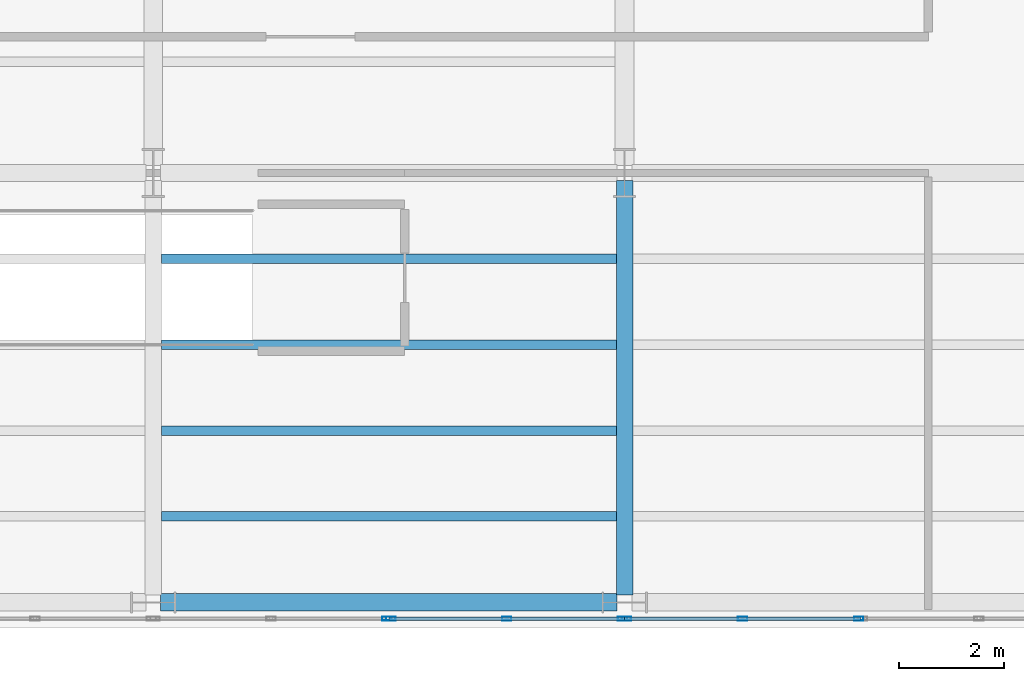
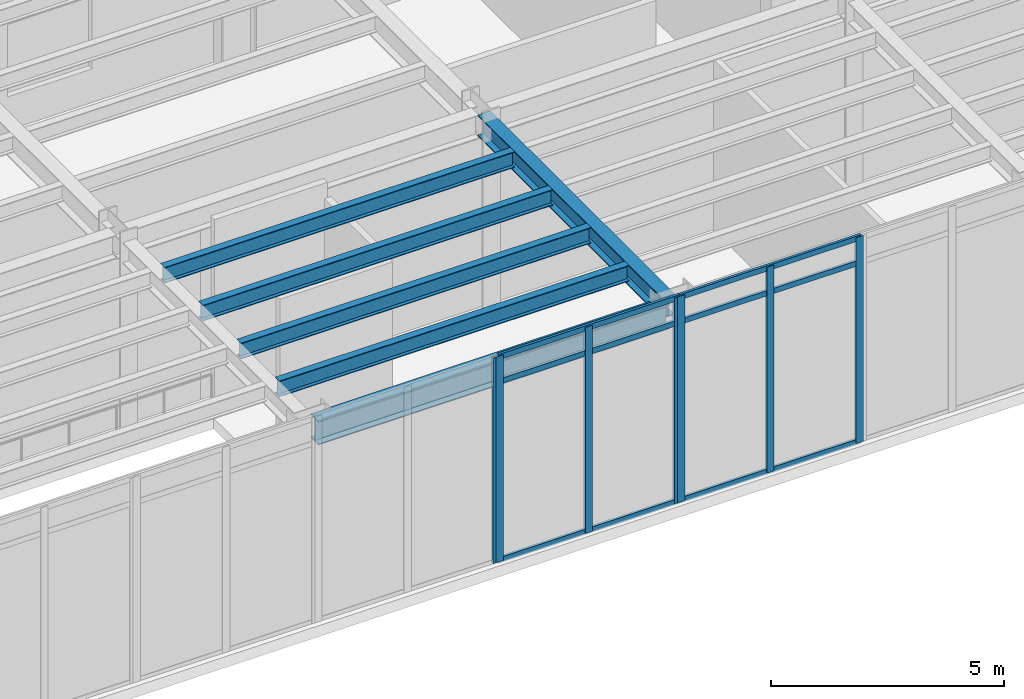
# One storey, part 31 of 98: 13 members, 6 beams, 3 elements without a shape of their own.
"""IFC4 building model written with IfcOpenShell, lengths in metres."""

from ifc_helpers import new_model, si_unit, direction, frame, origin, origin_2d, place, context, subcontext, project, spatial, hollow_rectangle, i_section, extrude, material, layer, layer_set, material_profile, profile_set, type_object, element, aggregate, save


model = new_model("IFC4")

# Units and contexts
model_context = context("Model", 3, precision=1e-05, world=origin(), true_north=direction((0.0, 1.0)))
body_context = subcontext(model_context, "Body", "Model", "MODEL_VIEW")
ifc_project = project(units=[si_unit("LENGTHUNIT", "METRE"), si_unit("AREAUNIT", "SQUARE_METRE"), si_unit("VOLUMEUNIT", "CUBIC_METRE"), si_unit("PLANEANGLEUNIT", "RADIAN"), si_unit("MASSUNIT", "GRAM", prefix="KILO")], contexts=[model_context])

# Site, building, storey
site_placement = place(None, origin())
site = spatial("IfcSite", under=ifc_project, at=site_placement, CompositionType="ELEMENT")
building_placement = place(site_placement, origin())
building = spatial("IfcBuilding", under=site, at=building_placement, Name="Sollismere Congress Hotel", CompositionType="ELEMENT")
storey_placement = place(building_placement, frame((0.0, 0.0, 5.39990234375)))
storey = spatial("IfcBuildingStorey", under=building, at=storey_placement, Name="L01", CompositionType="ELEMENT", Elevation=5.39990234375)

# Beams
ifc_material_1 = material(Name="Steel ASTM A992 Grade 50", Category="steel")
ifc_material_profile_1 = material_profile(ifc_material_1, i_section(OverallWidth=0.31494140625, OverallDepth=0.551025390625, WebThickness=0.01513671875, FlangeThickness=0.0244140625, at=origin_2d()), Name="W21X122")
ifc_profile_set_1 = profile_set([ifc_material_profile_1], Name="Steel ASTM A992 Grade 50")
beam_type_1 = type_object("IfcBeamType", Name="BM-G21H", PredefinedType="BEAM", material=ifc_profile_set_1)
beam_1_placement = place(storey_placement, frame((85.0, 0.139892578125, 4.844482421875), z_axis=(0.0, 1.0, 0.0), x_axis=(-1.0, 0.0, 0.0)))
element("IfcBeam", 1, at=beam_1_placement, inside=storey, type_object=beam_type_1, Name="Beam BM-L01-1666", PredefinedType="BEAM", context=body_context, shape_type="SweptSolid", body=[
    extrude(i_section(OverallWidth=0.31494140625, OverallDepth=0.551025390625, WebThickness=0.01513671875, FlangeThickness=0.0244140625, at=origin_2d()), origin(), (0.0, 0.0, 1.0), 7.920166015625),
])
ifc_material_profile_2 = material_profile(ifc_material_1, i_section(OverallWidth=0.180908203125, OverallDepth=0.4169921875, WebThickness=0.010986328125, FlangeThickness=0.018310546875, at=origin_2d()), Name="W16X57")
ifc_profile_set_2 = profile_set([ifc_material_profile_2], Name="Steel ASTM A992 Grade 50")
beam_type_2 = type_object("IfcBeamType", Name="BM-J16", PredefinedType="JOIST", material=ifc_profile_set_2)
for number, where, z_axis, x_axis, name in (
    (2, (76.157470703125, 1.639892578125, 4.91162109375), (1.0, 0.0, 0.0), (0.0, 1.0, 0.0), "Beam BM-L01-1805"),
    (3, (76.157470703125, 3.280029296875, 4.91162109375), (1.0, 0.0, 0.0), (0.0, 1.0, 0.0), "Beam BM-L01-1806"),
    (4, (76.157470703125, 4.919921875, 4.91162109375), (1.0, 0.0, 0.0), (0.0, 1.0, 0.0), "Beam BM-L01-1807"),
    (5, (76.157470703125, 6.56005859375, 4.91162109375), (1.0, 0.0, 0.0), (0.0, 1.0, 0.0), "Beam BM-L01-1808"),
):
    element("IfcBeam", number, at=place(storey_placement, frame(where, z_axis=z_axis, x_axis=x_axis)), inside=storey, type_object=beam_type_2, Name=name, PredefinedType="JOIST", context=body_context, shape_type="SweptSolid", body=[
        extrude(i_section(OverallWidth=0.180908203125, OverallDepth=0.4169921875, WebThickness=0.010986328125, FlangeThickness=0.018310546875, at=origin_2d()), origin(), (0.0, 0.0, 1.0), 8.68505859375),
    ])
ifc_material_profile_3 = material_profile(ifc_material_1, i_section(OverallWidth=0.330078125, OverallDepth=0.635009765625, WebThickness=0.017822265625, FlangeThickness=0.031005859375, at=origin_2d()), Name="W24X162")
ifc_profile_set_3 = profile_set([ifc_material_profile_3], Name="Steel ASTM A992 Grade 50")
beam_type_3 = type_object("IfcBeamType", Name="BM-SP24E", PredefinedType="SPANDREL", material=ifc_profile_set_3)
beam_2_placement = place(storey_placement, frame((76.139892578125, 0.0, 4.802490234375), z_axis=(1.0, 0.0, 0.0), x_axis=(0.0, 1.0, 0.0)))
element("IfcBeam", 6, at=beam_2_placement, inside=storey, type_object=beam_type_3, Name="Beam BM-L01-1527", PredefinedType="SPANDREL", context=body_context, shape_type="SweptSolid", body=[
    extrude(i_section(OverallWidth=0.330078125, OverallDepth=0.635009765625, WebThickness=0.017822265625, FlangeThickness=0.031005859375, at=origin_2d()), origin(), (0.0, 0.0, 1.0), 8.72021484375),
])

# Curtain wall, member
ifc_material_2 = material(Name="Anodized Bronze Curtain Wall & Low-E Triple Glazing", Category="glass")
ifc_layer = layer(ifc_material_2, 0.199951171875, Name="Anodized Bronze Curtain Wall & Low-E Triple Glazing")
ifc_layer_set = layer_set([ifc_layer], Name="Anodized Bronze Curtain Wall & Low-E Triple Glazing")
curtain_wall_type = type_object("IfcCurtainWallType", Name="CW-GLZ36", PredefinedType="USERDEFINED", material=ifc_layer_set)
curtain_wall_1_placement = place(storey_placement, origin())
curtain_wall_1 = element("IfcCurtainWall", 7, at=curtain_wall_1_placement, inside=storey, type_object=curtain_wall_type, Name="Unitised curtain wall CW-L01-155", ObjectType="UNITISED CURTAIN WALL", PredefinedType="USERDEFINED")
ifc_material_3 = material(Name="Anodized Aluminum 6063-T6", Category="aluminium")
ifc_material_profile_4 = material_profile(ifc_material_3, hollow_rectangle(XDim=0.074951171875, YDim=0.179931640625, WallThickness=0.0048828125, at=origin_2d()), Name="ALU180X75X5")
ifc_profile_set_4 = profile_set([ifc_material_profile_4], Name="Anodized Aluminum 6063-T6")
member_type_1 = type_object("IfcMemberType", Name="ML-CW180", PredefinedType="MULLION", material=ifc_profile_set_4)
member_1_placement = place(storey_placement, frame((80.4619140625, -0.31005859375, 0.0), z_axis=(0.0, 0.0, 1.0), x_axis=(0.0, 1.0, 0.0)))
member_1 = element("IfcMember", 8, at=member_1_placement, type_object=member_type_1, Name="CWL-CW-L01-155-ML03", PredefinedType="MULLION", context=body_context, shape_type="SweptSolid", body=[
    extrude(hollow_rectangle(XDim=0.074951171875, YDim=0.179931640625, WallThickness=0.0048828125, at=origin_2d()), origin(), (0.0, 0.0, 1.0), 5.400146484375),
])
aggregate(curtain_wall_1, [member_1])

# Curtain wall, members
curtain_wall_2_placement = place(storey_placement, origin())
curtain_wall_2 = element("IfcCurtainWall", 9, at=curtain_wall_2_placement, inside=storey, type_object=curtain_wall_type, Name="Unitised curtain wall CW-L01-156", ObjectType="UNITISED CURTAIN WALL", PredefinedType="USERDEFINED")
member_2_placement = place(storey_placement, frame((80.5380859375, -0.31005859375, 0.0), z_axis=(0.0, 0.0, 1.0), x_axis=(0.0, 1.0, 0.0)))
member_2 = element("IfcMember", 10, at=member_2_placement, type_object=member_type_1, Name="CWL-CW-L01-156-ML01", PredefinedType="MULLION", context=body_context, shape_type="SweptSolid", body=[
    extrude(hollow_rectangle(XDim=0.074951171875, YDim=0.179931640625, WallThickness=0.0048828125, at=origin_2d()), origin(), (0.0, 0.0, 1.0), 5.400146484375),
])
member_3_placement = place(storey_placement, frame((82.75, -0.31005859375, 0.0), z_axis=(0.0, 0.0, 1.0), x_axis=(0.0, 1.0, 0.0)))
member_3 = element("IfcMember", 11, at=member_3_placement, type_object=member_type_1, Name="CWL-CW-L01-156-ML02", PredefinedType="MULLION", context=body_context, shape_type="SweptSolid", body=[
    extrude(hollow_rectangle(XDim=0.074951171875, YDim=0.179931640625, WallThickness=0.0048828125, at=origin_2d()), origin(), (0.0, 0.0, 1.0), 5.400146484375),
])
member_4_placement = place(storey_placement, frame((84.9619140625, -0.31005859375, 0.0), z_axis=(0.0, 0.0, 1.0), x_axis=(0.0, 1.0, 0.0)))
member_4 = element("IfcMember", 12, at=member_4_placement, type_object=member_type_1, Name="CWL-CW-L01-156-ML03", PredefinedType="MULLION", context=body_context, shape_type="SweptSolid", body=[
    extrude(hollow_rectangle(XDim=0.074951171875, YDim=0.179931640625, WallThickness=0.0048828125, at=origin_2d()), origin(), (0.0, 0.0, 1.0), 5.400146484375),
])

curtain_wall_3_placement = place(storey_placement, origin())
curtain_wall_3 = element("IfcCurtainWall", 13, at=curtain_wall_3_placement, inside=storey, type_object=curtain_wall_type, Name="Unitised curtain wall CW-L01-157", ObjectType="UNITISED CURTAIN WALL", PredefinedType="USERDEFINED")
member_5_placement = place(storey_placement, frame((85.0380859375, -0.31005859375, 0.0), z_axis=(0.0, 0.0, 1.0), x_axis=(0.0, 1.0, 0.0)))
member_5 = element("IfcMember", 14, at=member_5_placement, type_object=member_type_1, Name="CWL-CW-L01-157-ML01", PredefinedType="MULLION", context=body_context, shape_type="SweptSolid", body=[
    extrude(hollow_rectangle(XDim=0.074951171875, YDim=0.179931640625, WallThickness=0.0048828125, at=origin_2d()), origin(), (0.0, 0.0, 1.0), 5.400146484375),
])
member_6_placement = place(storey_placement, frame((87.2548828125, -0.31005859375, 0.0), z_axis=(0.0, 0.0, 1.0), x_axis=(0.0, 1.0, 0.0)))
member_6 = element("IfcMember", 15, at=member_6_placement, type_object=member_type_1, Name="CWL-CW-L01-157-ML02", PredefinedType="MULLION", context=body_context, shape_type="SweptSolid", body=[
    extrude(hollow_rectangle(XDim=0.074951171875, YDim=0.179931640625, WallThickness=0.0048828125, at=origin_2d()), origin(), (0.0, 0.0, 1.0), 5.400146484375),
])
member_7_placement = place(storey_placement, frame((89.471923828125, -0.31005859375, 0.0), z_axis=(0.0, 0.0, 1.0), x_axis=(0.0, 1.0, 0.0)))
member_7 = element("IfcMember", 16, at=member_7_placement, type_object=member_type_1, Name="CWL-CW-L01-157-ML03", PredefinedType="MULLION", context=body_context, shape_type="SweptSolid", body=[
    extrude(hollow_rectangle(XDim=0.074951171875, YDim=0.179931640625, WallThickness=0.0048828125, at=origin_2d()), origin(), (0.0, 0.0, 1.0), 5.400146484375),
])

# Member
ifc_material_profile_5 = material_profile(ifc_material_3, hollow_rectangle(XDim=0.06494140625, YDim=0.139892578125, WallThickness=0.00390625, at=origin_2d()), Name="ALU140X65X4")
ifc_profile_set_5 = profile_set([ifc_material_profile_5], Name="Anodized Aluminum 6063-T6")
member_type_2 = type_object("IfcMemberType", Name="TR-CW150", PredefinedType="MEMBER", material=ifc_profile_set_5)
member_8_placement = place(storey_placement, frame((80.5, -0.31005859375, 0.03271484375), z_axis=(1.0, 0.0, 0.0), x_axis=(0.0, 1.0, 0.0)))
member_8 = element("IfcMember", 17, at=member_8_placement, type_object=member_type_2, Name="CWL-CW-L01-156-TR1", PredefinedType="MEMBER", context=body_context, shape_type="SweptSolid", body=[
    extrude(hollow_rectangle(XDim=0.06494140625, YDim=0.139892578125, WallThickness=0.00390625, at=origin_2d()), origin(), (0.0, 0.0, 1.0), 4.5),
])

member_9_placement = place(storey_placement, frame((80.5, -0.31005859375, 4.72021484375), z_axis=(1.0, 0.0, 0.0), x_axis=(0.0, 1.0, 0.0)))
member_9 = element("IfcMember", 18, at=member_9_placement, type_object=member_type_2, Name="CWL-CW-L01-156-TR2", PredefinedType="MEMBER", context=body_context, shape_type="SweptSolid", body=[
    extrude(hollow_rectangle(XDim=0.06494140625, YDim=0.139892578125, WallThickness=0.00390625, at=origin_2d()), origin(), (0.0, 0.0, 1.0), 4.5),
])

member_10_placement = place(storey_placement, frame((80.5, -0.31005859375, 5.36767578125), z_axis=(1.0, 0.0, 0.0), x_axis=(0.0, 1.0, 0.0)))
member_10 = element("IfcMember", 19, at=member_10_placement, type_object=member_type_2, Name="CWL-CW-L01-156-TR3", PredefinedType="MEMBER", context=body_context, shape_type="SweptSolid", body=[
    extrude(hollow_rectangle(XDim=0.06494140625, YDim=0.139892578125, WallThickness=0.00390625, at=origin_2d()), origin(), (0.0, 0.0, 1.0), 4.5),
])

aggregate(curtain_wall_2, [member_2, member_3, member_4, member_8, member_9, member_10])

member_11_placement = place(storey_placement, frame((85.0, -0.31005859375, 0.03271484375), z_axis=(1.0, 0.0, 0.0), x_axis=(0.0, 1.0, 0.0)))
member_11 = element("IfcMember", 20, at=member_11_placement, type_object=member_type_2, Name="CWL-CW-L01-157-TR1", PredefinedType="MEMBER", context=body_context, shape_type="SweptSolid", body=[
    extrude(hollow_rectangle(XDim=0.06494140625, YDim=0.139892578125, WallThickness=0.00390625, at=origin_2d()), origin(), (0.0, 0.0, 1.0), 4.510009765625),
])

member_12_placement = place(storey_placement, frame((85.0, -0.31005859375, 4.72021484375), z_axis=(1.0, 0.0, 0.0), x_axis=(0.0, 1.0, 0.0)))
member_12 = element("IfcMember", 21, at=member_12_placement, type_object=member_type_2, Name="CWL-CW-L01-157-TR2", PredefinedType="MEMBER", context=body_context, shape_type="SweptSolid", body=[
    extrude(hollow_rectangle(XDim=0.06494140625, YDim=0.139892578125, WallThickness=0.00390625, at=origin_2d()), origin(), (0.0, 0.0, 1.0), 4.510009765625),
])

member_13_placement = place(storey_placement, frame((85.0, -0.31005859375, 5.36767578125), z_axis=(1.0, 0.0, 0.0), x_axis=(0.0, 1.0, 0.0)))
member_13 = element("IfcMember", 22, at=member_13_placement, type_object=member_type_2, Name="CWL-CW-L01-157-TR3", PredefinedType="MEMBER", context=body_context, shape_type="SweptSolid", body=[
    extrude(hollow_rectangle(XDim=0.06494140625, YDim=0.139892578125, WallThickness=0.00390625, at=origin_2d()), origin(), (0.0, 0.0, 1.0), 4.510009765625),
])

aggregate(curtain_wall_3, [member_5, member_6, member_7, member_11, member_12, member_13])

save(model, "model.ifc")
